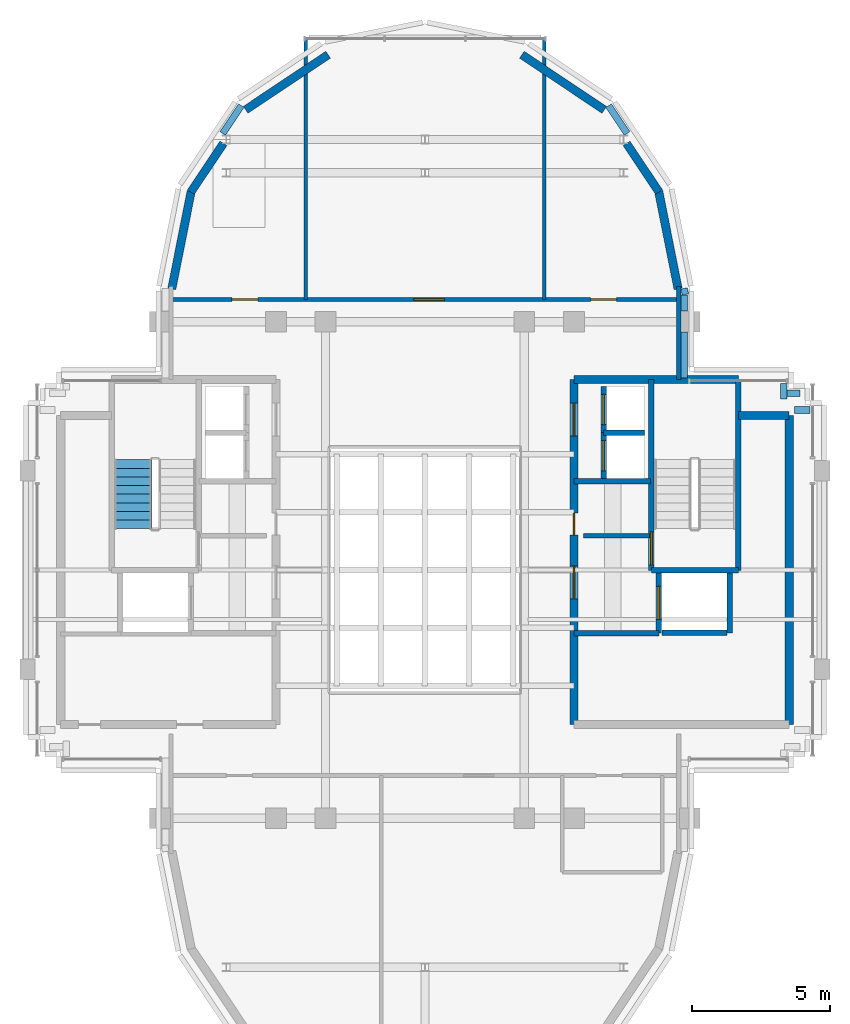
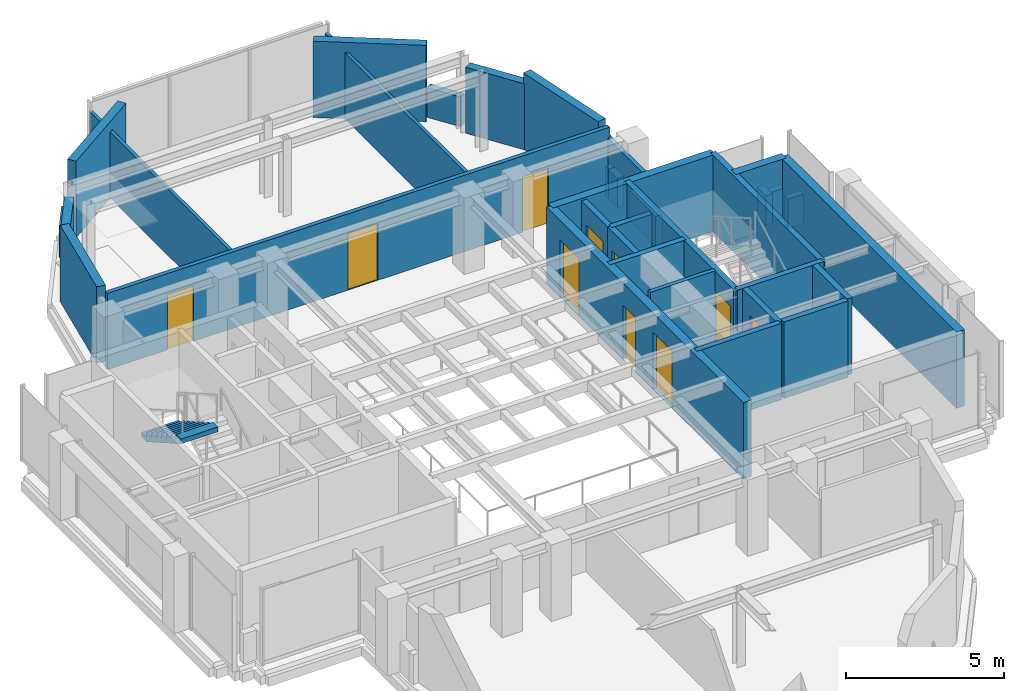
# One storey, part 8 of 11: 34 walls, 10 doors, 1 stair flight, 10 openings, 1 element without a shape of its own.
"""IFC4 building model written with IfcOpenShell, lengths in metres."""

from ifc_helpers import new_model, si_unit, direction, frame, frame_2d, origin, place, context, subcontext, project, spatial, polyline, rectangle, outline, extrude, source, transform, mapped, material, layer, layer_set, type_object, element, fill, aggregate, save


model = new_model("IFC4")

# Units and contexts
model_context = context("Model", 3, precision=1e-05, world=origin(), true_north=direction((0.0, 1.0)))
body_context = subcontext(model_context, "Body", "Model", "MODEL_VIEW")
ifc_project = project(units=[si_unit("LENGTHUNIT", "METRE"), si_unit("AREAUNIT", "SQUARE_METRE"), si_unit("VOLUMEUNIT", "CUBIC_METRE"), si_unit("PLANEANGLEUNIT", "RADIAN"), si_unit("MASSUNIT", "GRAM", prefix="KILO")], contexts=[model_context])

# Site, building, storey
site_placement = place(None, origin())
site = spatial("IfcSite", under=ifc_project, at=site_placement, CompositionType="ELEMENT")
building_placement = place(site_placement, origin())
building = spatial("IfcBuilding", under=site, at=building_placement, Name="Keilestroom Media Tower", CompositionType="ELEMENT")
storey_placement = place(building_placement, frame((0.0, 0.0, 268.39990234375)))
storey = spatial("IfcBuildingStorey", under=building, at=storey_placement, Name="L75", CompositionType="ELEMENT", Elevation=268.39990234375)

# Walls
ifc_material_1 = material(Name="Precast concrete C40/50", Category="concrete")
ifc_layer_1 = layer(ifc_material_1, 0.300048828125)
ifc_layer_set_1 = layer_set([ifc_layer_1], Name="Precast concrete C40/50")
wall_type_1 = type_object("IfcWallType", Name="Exterior-Masonry-Spandrel-Wall-300", PredefinedType="SOLIDWALL", material=ifc_layer_set_1)
wall_1_placement = place(storey_placement, frame((9.1748046875, 10.185302734375, 0.0), z_axis=(0.0, 0.0, 1.0), x_axis=(-0.195114232679, 0.980780523974, 0.0)))
element("IfcWall", 1, at=wall_1_placement, inside=storey, type_object=wall_type_1, Name="L75 Lobe Facet Precast Frame Wall 01", PredefinedType="SOLIDWALL", context=body_context, shape_type="SweptSolid", body=[
    extrude(rectangle(XDim=3.608642578125, YDim=0.300048828125, at=frame_2d((1.80419921875, 0.0))), origin(), (0.0, 0.0, 1.0), 2.960205078125),
])
wall_2_placement = place(storey_placement, frame((8.48193359375, 13.697509765625, 0.0), z_axis=(0.0, 0.0, 1.0), x_axis=(-0.555604299396, 0.831446848868, 0.0)))
element("IfcWall", 2, at=wall_2_placement, inside=storey, type_object=wall_type_1, Name="L75 Lobe Facet Precast Frame Wall 02", PredefinedType="SOLIDWALL", context=body_context, shape_type="SweptSolid", body=[
    extrude(rectangle(XDim=2.117919921875, YDim=0.300048828125, at=frame_2d((1.05908203125, 0.0))), origin(), (0.0, 0.0, 1.0), 2.56005859375),
])
for number, where, z_axis, x_axis, name in (
    (3, (6.497802734375, 16.677001953125, 0.0), (0.0, 0.0, 1.0), (-0.831443568068, 0.555609208993, 0.0), "L75 Lobe Facet Precast Frame Wall 03"),
    (4, (-3.510009765625, 18.673583984375, 0.0), (0.0, 0.0, 1.0), (-0.831443568068, -0.555609208993, 0.0), "L75 Lobe Facet Precast Frame Wall 04"),
):
    element("IfcWall", number, at=place(storey_placement, frame(where, z_axis=z_axis, x_axis=x_axis)), inside=storey, type_object=wall_type_1, Name=name, PredefinedType="SOLIDWALL", context=body_context, shape_type="SweptSolid", body=[
        extrude(rectangle(XDim=3.593505859375, YDim=0.300048828125, at=frame_2d((1.796875, 0.0))), origin(), (0.0, 0.0, 1.0), 2.960205078125),
    ])
wall_3_placement = place(storey_placement, frame((-7.30517578125, 15.45849609375, 0.0), z_axis=(0.0, 0.0, 1.0), x_axis=(-0.555604299396, -0.831446848868, 0.0)))
element("IfcWall", 5, at=wall_3_placement, inside=storey, type_object=wall_type_1, Name="L75 Lobe Facet Precast Frame Wall 05", PredefinedType="SOLIDWALL", context=body_context, shape_type="SweptSolid", body=[
    extrude(rectangle(XDim=2.117919921875, YDim=0.300048828125, at=frame_2d((1.05908203125, 0.0))), origin(), (0.0, 0.0, 1.0), 2.56005859375),
])
wall_4_placement = place(storey_placement, frame((-8.470703125, 13.724609375, 0.0), z_axis=(0.0, 0.0, 1.0), x_axis=(-0.195114232679, -0.980780523974, 0.0)))
element("IfcWall", 6, at=wall_4_placement, inside=storey, type_object=wall_type_1, Name="L75 Lobe Facet Precast Frame Wall 06", PredefinedType="SOLIDWALL", context=body_context, shape_type="SweptSolid", body=[
    extrude(rectangle(XDim=3.608642578125, YDim=0.300048828125, at=frame_2d((1.80419921875, 0.0))), origin(), (0.0, 0.0, 1.0), 2.960205078125),
])
ifc_material_2 = material(Name="Gypsum Plasterboard & Steel Stud", Category="steel")
ifc_layer_2 = layer(ifc_material_2, 0.1201171875)
ifc_layer_set_2 = layer_set([ifc_layer_2], Name="Gypsum Plasterboard & Steel Stud")
wall_type_2 = type_object("IfcWallType", Name="Interior-Partition-Wall-120", PredefinedType="PARTITIONING", material=ifc_layer_set_2)
for number, where, z_axis, x_axis, name in (
    (7, (-4.320068359375, 9.800048828125, 0.0), (0.0, 0.0, 1.0), (0.0, 1.0, 0.0), "L75 Interior Wall WP-L75-NL-VW"),
    (8, (4.320068359375, 9.800048828125, 0.0), (0.0, 0.0, 1.0), (0.0, 1.0, 0.0), "L75 Interior Wall WP-L75-NL-VE"),
):
    element("IfcWall", number, at=place(storey_placement, frame(where, z_axis=z_axis, x_axis=x_axis)), inside=storey, type_object=wall_type_2, Name=name, PredefinedType="PARTITIONING", context=body_context, shape_type="SweptSolid", body=[
        extrude(rectangle(XDim=9.449951171875, YDim=0.1201171875, at=frame_2d((4.72509765625, 0.0))), origin(), (0.0, 0.0, 1.0), 2.56005859375),
    ])
ifc_layer_3 = layer(ifc_material_2, 0.14990234375)
ifc_layer_set_3 = layer_set([ifc_layer_3], Name="Gypsum Plasterboard & Steel Stud")
wall_type_3 = type_object("IfcWallType", Name="Interior-Partition-Wall-150", PredefinedType="PARTITIONING", material=ifc_layer_set_3)
wall_5_placement = place(storey_placement, frame((5.75, 1.239990234375, 0.0), z_axis=(0.0, 0.0, 1.0), x_axis=(1.0, 0.0, 0.0)))
element("IfcWall", 9, at=wall_5_placement, inside=storey, type_object=wall_type_3, Name="L75 Interior Wall WP-L75-FFE-TOP", PredefinedType="PARTITIONING", context=body_context, shape_type="SweptSolid", body=[
    extrude(rectangle(XDim=2.389892578125, YDim=0.14990234375, at=frame_2d((1.19482421875, 0.0))), origin(), (0.0, 0.0, 1.0), 2.960205078125),
])

# Wall, openings, doors
wall_6_placement = place(storey_placement, frame((-9.199951171875, 9.800048828125, 0.0), z_axis=(0.0, 0.0, 1.0), x_axis=(1.0, 0.0, 0.0)))
wall_6 = element("IfcWall", 10, at=wall_6_placement, inside=storey, type_object=wall_type_3, Name="L75 Interior Wall WP-L75-NL-BASE", PredefinedType="PARTITIONING", context=body_context, shape_type="SweptSolid", body=[
    extrude(rectangle(XDim=18.39990234375, YDim=0.14990234375, at=frame_2d((9.199951171875, 0.0))), origin(), (0.0, 0.0, 1.0), 2.960205078125),
])
opening_1_placement = place(wall_6_placement, frame((2.199951171875, 0.0, 0.0)))
opening_1 = element("IfcOpeningElement", 11, at=opening_1_placement, cuts=wall_6, Name="Opening DI-03", PredefinedType="OPENING", context=body_context, shape_type="SweptSolid", body=[
    extrude(rectangle(XDim=0.949951171875, YDim=2.14990234375, at=frame_2d((0.47509765625, 1.074951171875))), frame((0.0, 0.0849609375, 0.0), z_axis=(0.0, -1.0, 0.0), x_axis=(1.0, 0.0, 0.0)), (0.0, 0.0, 1.0), 0.169921875),
])
opening_2_placement = place(wall_6_placement, frame((8.800048828125, 0.0, 0.0)))
opening_2 = element("IfcOpeningElement", 12, at=opening_2_placement, cuts=wall_6, Name="Opening DI-04", PredefinedType="OPENING", context=body_context, shape_type="SweptSolid", body=[
    extrude(rectangle(XDim=1.10009765625, YDim=2.199951171875, at=frame_2d((0.550048828125, 1.10009765625))), frame((0.0, 0.0849609375, 0.0), z_axis=(0.0, -1.0, 0.0), x_axis=(1.0, 0.0, 0.0)), (0.0, 0.0, 1.0), 0.169921875),
])
opening_3_placement = place(wall_6_placement, frame((15.199951171875, 0.0, 0.0)))
opening_3 = element("IfcOpeningElement", 13, at=opening_3_placement, cuts=wall_6, Name="Opening DI-03", PredefinedType="OPENING", context=body_context, shape_type="SweptSolid", body=[
    extrude(rectangle(XDim=0.949951171875, YDim=2.14990234375, at=frame_2d((0.47509765625, 1.074951171875))), frame((0.0, 0.0849609375, 0.0), z_axis=(0.0, -1.0, 0.0), x_axis=(1.0, 0.0, 0.0)), (0.0, 0.0, 1.0), 0.169921875),
])
ifc_material_3 = material(Name="Lacquered European Oak Leaf", Category="wood")
door_type_1 = type_object("IfcDoorType", Name="Interior-Room-And-Suite-Door-DI-03", OperationType="NOTDEFINED", PredefinedType="DOOR", material=ifc_material_3)
shared_shape_1 = source(origin(), body_context, "Body", "SweptSolid", [
    extrude(rectangle(XDim=0.949951171875, YDim=2.14990234375, at=frame_2d((0.47509765625, 1.074951171875))), frame((0.0, 0.02490234375, 0.0), z_axis=(0.0, -1.0, 0.0), x_axis=(1.0, 0.0, 0.0)), (0.0, 0.0, 1.0), 0.050048828125),
])
door_1_placement = place(opening_1_placement, origin())
door_1 = element("IfcDoor", 14, at=door_1_placement, inside=storey, type_object=door_type_1, Name="L75 Interior Door DI-L75-DNL-W", OperationType="SINGLE_SWING_LEFT", OverallHeight=2.14990234375, OverallWidth=0.949951171875, PredefinedType="DOOR", context=body_context, shape_type="MappedRepresentation", body=[
    mapped(shared_shape_1, transform((0.0, 0.0, 0.0), x_axis=(1.0, 0.0, 0.0), y_axis=(0.0, 1.0, 0.0), z_axis=(0.0, 0.0, 1.0), scale=1.0)),
])
fill(opening_1, door_1)
door_2_placement = place(opening_3_placement, origin())
door_2 = element("IfcDoor", 15, at=door_2_placement, inside=storey, type_object=door_type_1, Name="L75 Interior Door DI-L75-DNL-E", OperationType="SINGLE_SWING_LEFT", OverallHeight=2.14990234375, OverallWidth=0.949951171875, PredefinedType="DOOR", context=body_context, shape_type="MappedRepresentation", body=[
    mapped(shared_shape_1, transform((0.0, 0.0, 0.0), x_axis=(1.0, 0.0, 0.0), y_axis=(0.0, 1.0, 0.0), z_axis=(0.0, 0.0, 1.0), scale=1.0)),
])
fill(opening_3, door_2)
ifc_material_4 = material(Name="Acoustic Glazed Aluminium Leaf", Category="aluminium")
door_type_2 = type_object("IfcDoorType", Name="Interior-Room-And-Suite-Door-DI-04", OperationType="NOTDEFINED", PredefinedType="DOOR", material=ifc_material_4)
shared_shape_2 = source(origin(), body_context, "Body", "SweptSolid", [
    extrude(rectangle(XDim=1.10009765625, YDim=2.199951171875, at=frame_2d((0.550048828125, 1.10009765625))), frame((0.0, 0.02490234375, 0.0), z_axis=(0.0, -1.0, 0.0), x_axis=(1.0, 0.0, 0.0)), (0.0, 0.0, 1.0), 0.050048828125),
])
door_3_placement = place(opening_2_placement, origin())
door_3 = element("IfcDoor", 16, at=door_3_placement, inside=storey, type_object=door_type_2, Name="L75 Interior Door DI-L75-DNL-C", OperationType="SINGLE_SWING_RIGHT", OverallHeight=2.199951171875, OverallWidth=1.10009765625, PredefinedType="DOOR", context=body_context, shape_type="MappedRepresentation", body=[
    mapped(shared_shape_2, transform((0.0, 0.0, 0.0), x_axis=(1.0, 0.0, 0.0), y_axis=(0.0, 1.0, 0.0), z_axis=(0.0, 0.0, 1.0), scale=1.0)),
])
fill(opening_2, door_3)

# Walls
wall_7_placement = place(storey_placement, frame((9.199951171875, 6.89990234375, 0.0), z_axis=(0.0, 0.0, 1.0), x_axis=(0.0, 1.0, 0.0)))
element("IfcWall", 17, at=wall_7_placement, inside=storey, type_object=wall_type_3, Name="L75 Interior Wall WP-L75-NL-CHKE", PredefinedType="PARTITIONING", context=body_context, shape_type="SweptSolid", body=[
    extrude(rectangle(XDim=3.380126953125, YDim=0.14990234375, at=frame_2d((1.68994140625, 0.0))), origin(), (0.0, 0.0, 1.0), 2.56005859375),
])
ifc_material_5 = material(Name="Concrete C50/60", Category="concrete")
ifc_layer_4 = layer(ifc_material_5, 0.300048828125)
ifc_layer_set_4 = layer_set([ifc_layer_4], Name="Concrete C50/60")
wall_type_4 = type_object("IfcWallType", Name="Reinforced-Concrete-Core-Shear-Wall-300", PredefinedType="SHEAR", material=ifc_layer_set_4)
wall_8_placement = place(storey_placement, frame((13.199951171875, -5.60009765625, 0.0), z_axis=(0.0, 0.0, 1.0), x_axis=(0.0, 1.0, 0.0)))
element("IfcWall", 18, at=wall_8_placement, inside=storey, type_object=wall_type_4, Name="L75 Core Shear Wall WL-L75-CORE-E-OUT", PredefinedType="SHEAR", context=body_context, shape_type="SweptSolid", body=[
    extrude(rectangle(XDim=11.2001953125, YDim=0.300048828125, at=frame_2d((5.60009765625, 0.0))), origin(), (0.0, 0.0, 1.0), 2.960205078125),
])

# Wall, openings, doors
wall_9_placement = place(storey_placement, frame((5.39990234375, -5.60009765625, 0.0), z_axis=(0.0, 0.0, 1.0), x_axis=(0.0, 1.0, 0.0)))
wall_9 = element("IfcWall", 19, at=wall_9_placement, inside=storey, type_object=wall_type_4, Name="L75 Core Shear Wall WL-L75-CORE-E-IN", PredefinedType="SHEAR", context=body_context, shape_type="SweptSolid", body=[
    extrude(rectangle(XDim=12.5, YDim=0.300048828125, at=frame_2d((6.25, 0.0))), origin(), (0.0, 0.0, 1.0), 2.960205078125),
])
opening_4_placement = place(wall_9_placement, frame((4.550048828125, 0.0, 0.0)))
opening_4 = element("IfcOpeningElement", 20, at=opening_4_placement, cuts=wall_9, Name="Opening DI-02", PredefinedType="OPENING", context=body_context, shape_type="SweptSolid", body=[
    extrude(rectangle(XDim=1.199951171875, YDim=2.199951171875, at=frame_2d((0.60009765625, 1.10009765625))), frame((0.0, 0.16015625, 0.0), z_axis=(0.0, -1.0, 0.0), x_axis=(1.0, 0.0, 0.0)), (0.0, 0.0, 1.0), 0.320068359375),
])
opening_5_placement = place(wall_9_placement, frame((10.449951171875, 0.0, 0.0)))
opening_5 = element("IfcOpeningElement", 21, at=opening_5_placement, cuts=wall_9, Name="Opening DI-02", PredefinedType="OPENING", context=body_context, shape_type="SweptSolid", body=[
    extrude(rectangle(XDim=1.199951171875, YDim=2.199951171875, at=frame_2d((0.60009765625, 1.10009765625))), frame((0.0, 0.16015625, 0.0), z_axis=(0.0, -1.0, 0.0), x_axis=(1.0, 0.0, 0.0)), (0.0, 0.0, 1.0), 0.320068359375),
])
opening_6_placement = place(wall_9_placement, frame((6.860107421875, 0.0, 0.0)))
opening_6 = element("IfcOpeningElement", 22, at=opening_6_placement, cuts=wall_9, Name="Opening DI-06", PredefinedType="OPENING", context=body_context, shape_type="SweptSolid", body=[
    extrude(rectangle(XDim=0.800048828125, YDim=2.10009765625, at=frame_2d((0.39990234375, 1.050048828125))), frame((0.0, 0.16015625, 0.0), z_axis=(0.0, -1.0, 0.0), x_axis=(1.0, 0.0, 0.0)), (0.0, 0.0, 1.0), 0.320068359375),
])
ifc_material_6 = material(Name="Powder-Coated Steel Fire Leaf", Category="steel")
door_type_3 = type_object("IfcDoorType", Name="Interior-Compartment-Fire-Door-DI-02", OperationType="NOTDEFINED", PredefinedType="DOOR", material=ifc_material_6)
shared_shape_3 = source(origin(), body_context, "Body", "SweptSolid", [
    extrude(rectangle(XDim=1.199951171875, YDim=2.199951171875, at=frame_2d((0.60009765625, 1.10009765625))), frame((0.0, 0.02490234375, 0.0), z_axis=(0.0, -1.0, 0.0), x_axis=(1.0, 0.0, 0.0)), (0.0, 0.0, 1.0), 0.050048828125),
])
door_4_placement = place(opening_4_placement, origin())
door_4 = element("IfcDoor", 23, at=door_4_placement, inside=storey, type_object=door_type_3, Name="L75 E Firefighting Lobby Door", OperationType="SINGLE_SWING_LEFT", OverallHeight=2.199951171875, OverallWidth=1.199951171875, PredefinedType="DOOR", context=body_context, shape_type="MappedRepresentation", body=[
    mapped(shared_shape_3, transform((0.0, 0.0, 0.0), x_axis=(1.0, 0.0, 0.0), y_axis=(0.0, 1.0, 0.0), z_axis=(0.0, 0.0, 1.0), scale=1.0)),
])
fill(opening_4, door_4)
door_5_placement = place(opening_5_placement, origin())
door_5 = element("IfcDoor", 24, at=door_5_placement, inside=storey, type_object=door_type_3, Name="L75 E High-Rise Lift Lobby Door", OperationType="SINGLE_SWING_RIGHT", OverallHeight=2.199951171875, OverallWidth=1.199951171875, PredefinedType="DOOR", context=body_context, shape_type="MappedRepresentation", body=[
    mapped(shared_shape_3, transform((0.0, 0.0, 0.0), x_axis=(1.0, 0.0, 0.0), y_axis=(0.0, 1.0, 0.0), z_axis=(0.0, 0.0, 1.0), scale=1.0)),
])
fill(opening_5, door_5)
ifc_material_7 = material(Name="Powder-Coated Steel Service Leaf", Category="steel")
door_type_4 = type_object("IfcDoorType", Name="Interior-Riser-Access-Door-DI-06", OperationType="NOTDEFINED", PredefinedType="DOOR", material=ifc_material_7)
shared_shape_4 = source(origin(), body_context, "Body", "SweptSolid", [
    extrude(rectangle(XDim=0.800048828125, YDim=2.10009765625, at=frame_2d((0.39990234375, 1.050048828125))), frame((0.0, 0.02490234375, 0.0), z_axis=(0.0, -1.0, 0.0), x_axis=(1.0, 0.0, 0.0)), (0.0, 0.0, 1.0), 0.050048828125),
])
door_6_placement = place(opening_6_placement, origin())
door_6 = element("IfcDoor", 25, at=door_6_placement, inside=storey, type_object=door_type_4, Name="L75 East Core Telecom Door", OperationType="SINGLE_SWING_RIGHT", OverallHeight=2.10009765625, OverallWidth=0.800048828125, PredefinedType="DOOR", context=body_context, shape_type="MappedRepresentation", body=[
    mapped(shared_shape_4, transform((0.0, 0.0, 0.0), x_axis=(1.0, 0.0, 0.0), y_axis=(0.0, 1.0, 0.0), z_axis=(0.0, 0.0, 1.0), scale=1.0)),
])
fill(opening_6, door_6)

# Walls
wall_10_placement = place(storey_placement, frame((5.39990234375, 6.89990234375, 0.0), z_axis=(0.0, 0.0, 1.0), x_axis=(1.0, 0.0, 0.0)))
element("IfcWall", 26, at=wall_10_placement, inside=storey, type_object=wall_type_4, Name="L75 Core Shear Wall WL-L75-CORE-E-N", PredefinedType="SHEAR", context=body_context, shape_type="SweptSolid", body=[
    extrude(rectangle(XDim=5.9560546875, YDim=0.300048828125, at=frame_2d((2.97802734375, 0.0))), origin(), (0.0, 0.0, 1.0), 2.960205078125),
])
wall_11_placement = place(storey_placement, frame((11.35595703125, 5.60009765625, 0.0), z_axis=(0.0, 0.0, 1.0), x_axis=(1.0, 0.0, 0.0)))
element("IfcWall", 27, at=wall_11_placement, inside=storey, type_object=wall_type_4, Name="L75 Core Shear Wall WL-L75-CNE-N", PredefinedType="SHEAR", context=body_context, shape_type="SweptSolid", body=[
    extrude(rectangle(XDim=1.843994140625, YDim=0.300048828125, at=frame_2d((0.921875, 0.0))), origin(), (0.0, 0.0, 1.0), 2.960205078125),
])
ifc_layer_5 = layer(ifc_material_5, 0.199951171875)
ifc_layer_set_5 = layer_set([ifc_layer_5], Name="Concrete C50/60")
wall_type_5 = type_object("IfcWallType", Name="Reinforced-Concrete-Shaft-Wall-200", PredefinedType="SOLIDWALL", material=ifc_layer_set_5)
wall_12_placement = place(storey_placement, frame((5.39990234375, 3.219970703125, 0.0), z_axis=(0.0, 0.0, 1.0), x_axis=(1.0, 0.0, 0.0)))
element("IfcWall", 28, at=wall_12_placement, inside=storey, type_object=wall_type_5, Name="L75 Core Shear Wall WL-L75-CORE-E-FFN", PredefinedType="SOLIDWALL", context=body_context, shape_type="SweptSolid", body=[
    extrude(rectangle(XDim=2.780029296875, YDim=0.199951171875, at=frame_2d((1.39013671875, 0.0))), origin(), (0.0, 0.0, 1.0), 2.960205078125),
])
wall_13_placement = place(storey_placement, frame((5.39990234375, -2.300048828125, 0.0), z_axis=(0.0, 0.0, 1.0), x_axis=(1.0, 0.0, 0.0)))
element("IfcWall", 29, at=wall_13_placement, inside=storey, type_object=wall_type_5, Name="L75 Core Shear Wall WL-L75-CORE-E-FFS", PredefinedType="SOLIDWALL", context=body_context, shape_type="SweptSolid", body=[
    extrude(rectangle(XDim=3.080078125, YDim=0.199951171875, at=frame_2d((1.5400390625, 0.0))), origin(), (0.0, 0.0, 1.0), 2.960205078125),
])

# Wall, opening, door
wall_14_placement = place(storey_placement, frame((8.2041015625, -0.01611328125, 0.0), z_axis=(0.0, 0.0, 1.0), x_axis=(0.0, 1.0, 0.0)))
wall_14 = element("IfcWall", 30, at=wall_14_placement, inside=storey, type_object=wall_type_5, Name="L75 Core Shear Wall WL-L75-STW-E-NEAR", PredefinedType="SOLIDWALL", context=body_context, shape_type="SweptSolid", body=[
    extrude(rectangle(XDim=6.916015625, YDim=0.199951171875, at=frame_2d((3.4580078125, 0.0))), origin(), (0.0, 0.0, 1.0), 2.960205078125),
])
opening_7_placement = place(wall_14_placement, frame((0.199951171875, 0.0, 0.0)))
opening_7 = element("IfcOpeningElement", 31, at=opening_7_placement, cuts=wall_14, Name="Opening DI-01S", PredefinedType="OPENING", context=body_context, shape_type="SweptSolid", body=[
    extrude(rectangle(XDim=1.199951171875, YDim=2.199951171875, at=frame_2d((0.60009765625, 1.10009765625))), frame((0.0, 0.10986328125, 0.0), z_axis=(0.0, -1.0, 0.0), x_axis=(1.0, 0.0, 0.0)), (0.0, 0.0, 1.0), 0.219970703125),
])
door_type_5 = type_object("IfcDoorType", Name="Interior-Stair-And-Core-Fire-Door-DI-01", OperationType="NOTDEFINED", PredefinedType="DOOR", material=ifc_material_6)
door_7_placement = place(opening_7_placement, origin())
door_7 = element("IfcDoor", 32, at=door_7_placement, inside=storey, type_object=door_type_5, Name="L75 Escape Stair ST-2 Fire Door", OperationType="SINGLE_SWING_RIGHT", OverallHeight=2.199951171875, OverallWidth=1.199951171875, PredefinedType="DOOR", context=body_context, shape_type="MappedRepresentation", body=[
    mapped(shared_shape_3, transform((0.0, 0.0, 0.0), x_axis=(1.0, 0.0, 0.0), y_axis=(0.0, 1.0, 0.0), z_axis=(0.0, 0.0, 1.0), scale=1.0)),
])
fill(opening_7, door_7)

# Walls
wall_15_placement = place(storey_placement, frame((11.35595703125, -0.01611328125, 0.0), z_axis=(0.0, 0.0, 1.0), x_axis=(0.0, 1.0, 0.0)))
element("IfcWall", 33, at=wall_15_placement, inside=storey, type_object=wall_type_5, Name="L75 Core Shear Wall WL-L75-STW-E-FAR", PredefinedType="SOLIDWALL", context=body_context, shape_type="SweptSolid", body=[
    extrude(rectangle(XDim=6.916015625, YDim=0.199951171875, at=frame_2d((3.4580078125, 0.0))), origin(), (0.0, 0.0, 1.0), 2.960205078125),
])
wall_16_placement = place(storey_placement, frame((8.2041015625, -0.01611328125, 0.0), z_axis=(0.0, 0.0, 1.0), x_axis=(1.0, 0.0, 0.0)))
element("IfcWall", 34, at=wall_16_placement, inside=storey, type_object=wall_type_5, Name="L75 Core Shear Wall WL-L75-STW-E-S", PredefinedType="SOLIDWALL", context=body_context, shape_type="SweptSolid", body=[
    extrude(rectangle(XDim=3.15185546875, YDim=0.199951171875, at=frame_2d((1.575927734375, 0.0))), origin(), (0.0, 0.0, 1.0), 2.960205078125),
])

# Wall, opening, door
wall_17_placement = place(storey_placement, frame((8.47998046875, -2.280029296875, 0.0), z_axis=(0.0, 0.0, 1.0), x_axis=(0.0, 1.0, 0.0)))
wall_17 = element("IfcWall", 35, at=wall_17_placement, inside=storey, type_object=wall_type_5, Name="L75 Core Shear Wall WL-L75-LSH-FFL-2-W", PredefinedType="SOLIDWALL", context=body_context, shape_type="SweptSolid", body=[
    extrude(rectangle(XDim=2.179931640625, YDim=0.199951171875, at=frame_2d((1.08984375, 0.0))), origin(), (0.0, 0.0, 1.0), 2.960205078125),
])
opening_8_placement = place(wall_17_placement, frame((0.489990234375, 0.0, 0.0)))
opening_8 = element("IfcOpeningElement", 36, at=opening_8_placement, cuts=wall_17, Name="Opening LD-02", PredefinedType="OPENING", context=body_context, shape_type="SweptSolid", body=[
    extrude(rectangle(XDim=1.199951171875, YDim=2.199951171875, at=frame_2d((0.60009765625, 1.10009765625))), frame((0.0, 0.10986328125, 0.0), z_axis=(0.0, -1.0, 0.0), x_axis=(1.0, 0.0, 0.0)), (0.0, 0.0, 1.0), 0.219970703125),
])
ifc_material_8 = material(Name="Brushed Stainless Steel Sliding Leaf", Category="steel")
door_type_6 = type_object("IfcDoorType", Name="Lift-Landing-Sliding-Door-LD-02", OperationType="SLIDING_TO_RIGHT", PredefinedType="DOOR", material=ifc_material_8)
door_8_placement = place(opening_8_placement, origin())
door_8 = element("IfcDoor", 37, at=door_8_placement, inside=storey, type_object=door_type_6, Name="L75 Lift FFL-2 Landing Sliding Door", OperationType="SLIDING_TO_RIGHT", OverallHeight=2.199951171875, OverallWidth=1.199951171875, PredefinedType="DOOR", context=body_context, shape_type="MappedRepresentation", body=[
    mapped(shared_shape_3, transform((0.0, 0.0, 0.0), x_axis=(1.0, 0.0, 0.0), y_axis=(0.0, 1.0, 0.0), z_axis=(0.0, 0.0, 1.0), scale=1.0)),
])
fill(opening_8, door_8)

# Walls
wall_18_placement = place(storey_placement, frame((11.050048828125, -2.280029296875, 0.0), z_axis=(0.0, 0.0, 1.0), x_axis=(0.0, 1.0, 0.0)))
element("IfcWall", 38, at=wall_18_placement, inside=storey, type_object=wall_type_5, Name="L75 Core Shear Wall WL-L75-LSH-FFL-2-E", PredefinedType="SOLIDWALL", context=body_context, shape_type="SweptSolid", body=[
    extrude(rectangle(XDim=2.179931640625, YDim=0.199951171875, at=frame_2d((1.08984375, 0.0))), origin(), (0.0, 0.0, 1.0), 2.960205078125),
])
wall_19_placement = place(storey_placement, frame((8.583984375, -2.280029296875, 0.0), z_axis=(0.0, 0.0, 1.0), x_axis=(1.0, 0.0, 0.0)))
element("IfcWall", 39, at=wall_19_placement, inside=storey, type_object=wall_type_5, Name="L75 Core Shear Wall WL-L75-LSH-FFL-2-S", PredefinedType="SOLIDWALL", context=body_context, shape_type="SweptSolid", body=[
    extrude(rectangle(XDim=2.362060546875, YDim=0.199951171875, at=frame_2d((1.18115234375, 0.0))), origin(), (0.0, 0.0, 1.0), 2.960205078125),
])

# Wall, opening, door
wall_20_placement = place(storey_placement, frame((6.47998046875, 3.300048828125, 0.0), z_axis=(0.0, 0.0, 1.0), x_axis=(0.0, 1.0, 0.0)))
wall_20 = element("IfcWall", 40, at=wall_20_placement, inside=storey, type_object=wall_type_5, Name="L75 Core Shear Wall WL-L75-LSH-PL-H3-W", PredefinedType="SOLIDWALL", context=body_context, shape_type="SweptSolid", body=[
    extrude(rectangle(XDim=1.679931640625, YDim=0.199951171875, at=frame_2d((0.83984375, 0.0))), origin(), (0.0, 0.0, 1.0), 2.960205078125),
])
opening_9_placement = place(wall_20_placement, frame((0.2900390625, 0.0, 0.0)))
opening_9 = element("IfcOpeningElement", 41, at=opening_9_placement, cuts=wall_20, Name="Opening LD-01", PredefinedType="OPENING", context=body_context, shape_type="SweptSolid", body=[
    extrude(rectangle(XDim=1.10009765625, YDim=2.199951171875, at=frame_2d((0.550048828125, 1.10009765625))), frame((0.0, 0.10986328125, 0.0), z_axis=(0.0, -1.0, 0.0), x_axis=(1.0, 0.0, 0.0)), (0.0, 0.0, 1.0), 0.219970703125),
])
door_type_7 = type_object("IfcDoorType", Name="Lift-Landing-Sliding-Door-LD-01", OperationType="SLIDING_TO_LEFT", PredefinedType="DOOR", material=ifc_material_8)
door_9_placement = place(opening_9_placement, origin())
door_9 = element("IfcDoor", 42, at=door_9_placement, inside=storey, type_object=door_type_7, Name="L75 Lift PL-H3 Landing Sliding Door", OperationType="SLIDING_TO_LEFT", OverallHeight=2.199951171875, OverallWidth=1.10009765625, PredefinedType="DOOR", context=body_context, shape_type="MappedRepresentation", body=[
    mapped(shared_shape_2, transform((0.0, 0.0, 0.0), x_axis=(1.0, 0.0, 0.0), y_axis=(0.0, 1.0, 0.0), z_axis=(0.0, 0.0, 1.0), scale=1.0)),
])
fill(opening_9, door_9)

# Wall
wall_21_placement = place(storey_placement, frame((6.47998046875, 4.97998046875, 0.0), z_axis=(0.0, 0.0, 1.0), x_axis=(1.0, 0.0, 0.0)))
element("IfcWall", 43, at=wall_21_placement, inside=storey, type_object=wall_type_5, Name="L75 Core Shear Wall WL-L75-LSH-PL-H3-N", PredefinedType="SOLIDWALL", context=body_context, shape_type="SweptSolid", body=[
    extrude(rectangle(XDim=1.469970703125, YDim=0.199951171875, at=frame_2d((0.73486328125, 0.0))), origin(), (0.0, 0.0, 1.0), 2.960205078125),
])

# Wall, opening, door
wall_22_placement = place(storey_placement, frame((6.47998046875, 4.97998046875, 0.0), z_axis=(0.0, 0.0, 1.0), x_axis=(0.0, 1.0, 0.0)))
wall_22 = element("IfcWall", 44, at=wall_22_placement, inside=storey, type_object=wall_type_5, Name="L75 Core Shear Wall WL-L75-LSH-PL-H4-W", PredefinedType="SOLIDWALL", context=body_context, shape_type="SweptSolid", body=[
    extrude(rectangle(XDim=1.669921875, YDim=0.199951171875, at=frame_2d((0.8349609375, 0.0))), origin(), (0.0, 0.0, 1.0), 2.960205078125),
])
opening_10_placement = place(wall_22_placement, frame((0.284912109375, 0.0, 0.0)))
opening_10 = element("IfcOpeningElement", 45, at=opening_10_placement, cuts=wall_22, Name="Opening LD-01", PredefinedType="OPENING", context=body_context, shape_type="SweptSolid", body=[
    extrude(rectangle(XDim=1.10009765625, YDim=2.199951171875, at=frame_2d((0.550048828125, 1.10009765625))), frame((0.0, 0.10986328125, 0.0), z_axis=(0.0, -1.0, 0.0), x_axis=(1.0, 0.0, 0.0)), (0.0, 0.0, 1.0), 0.219970703125),
])
door_10_placement = place(opening_10_placement, origin())
door_10 = element("IfcDoor", 46, at=door_10_placement, inside=storey, type_object=door_type_7, Name="L75 Lift PL-H4 Landing Sliding Door", OperationType="SLIDING_TO_LEFT", OverallHeight=2.199951171875, OverallWidth=1.10009765625, PredefinedType="DOOR", context=body_context, shape_type="MappedRepresentation", body=[
    mapped(shared_shape_2, transform((0.0, 0.0, 0.0), x_axis=(1.0, 0.0, 0.0), y_axis=(0.0, 1.0, 0.0), z_axis=(0.0, 0.0, 1.0), scale=1.0)),
])
fill(opening_10, door_10)

# Walls
ifc_layer_6 = layer(ifc_material_1, 0.239990234375)
ifc_layer_set_6 = layer_set([ifc_layer_6], Name="Precast concrete C40/50")
wall_type_6 = type_object("IfcWallType", Name="Roof-And-Terrace-Parapet-Wall-240", PredefinedType="PARAPET", material=ifc_layer_set_6)
for number, where, z_axis, x_axis, name in (
    (47, (-7.328125, 15.8203125, 0.0), (0.0, 0.0, 1.0), (0.555585388542, 0.831459485506, 0.0), "L75 Perimeter Edge Parapet Wall 18"),
    (48, (6.656494140625, 16.825439453125, 0.0), (0.0, 0.0, 1.0), (0.555585388542, -0.831459485506, 0.0), "L75 Perimeter Edge Parapet Wall 19"),
):
    element("IfcWall", number, at=place(storey_placement, frame(where, z_axis=z_axis, x_axis=x_axis)), inside=storey, type_object=wall_type_6, Name=name, PredefinedType="PARAPET", context=body_context, shape_type="SweptSolid", body=[
        extrude(rectangle(XDim=1.208984375, YDim=0.239990234375, at=frame_2d((0.6044921875, 0.0))), origin(), (0.0, 0.0, 1.0), 1.150146484375),
    ])
wall_23_placement = place(storey_placement, frame((9.395263671875, 10.2041015625, 0.0), z_axis=(0.0, 0.0, 1.0), x_axis=(0.194859894132, -0.980831087221, 0.0)))
element("IfcWall", 49, at=wall_23_placement, inside=storey, type_object=wall_type_6, Name="L75 Perimeter Edge Parapet Wall 20", PredefinedType="PARAPET", context=body_context, shape_type="SweptSolid", body=[
    extrude(rectangle(XDim=0.224365234375, YDim=0.239990234375, at=frame_2d((0.1123046875, 0.0))), origin(), (0.0, 0.0, 1.0), 1.150146484375),
])
wall_24_placement = place(storey_placement, frame((9.39990234375, 9.957763671875, 0.0), z_axis=(0.0, 0.0, 1.0), x_axis=(0.0, -1.0, 0.0)))
element("IfcWall", 50, at=wall_24_placement, inside=storey, type_object=wall_type_6, Name="L75 Perimeter Edge Parapet Wall 21", PredefinedType="PARAPET", context=body_context, shape_type="SweptSolid", body=[
    extrude(rectangle(XDim=0.579833984375, YDim=0.239990234375, at=frame_2d((0.2900390625, 0.0))), origin(), (0.0, 0.0, 1.0), 1.150146484375),
])
wall_25_placement = place(storey_placement, frame((9.39990234375, 8.6220703125, 0.0), z_axis=(0.0, 0.0, 1.0), x_axis=(0.0, -1.0, 0.0)))
element("IfcWall", 51, at=wall_25_placement, inside=storey, type_object=wall_type_6, Name="L75 Perimeter Edge Parapet Wall 22", PredefinedType="PARAPET", context=body_context, shape_type="SweptSolid", body=[
    extrude(rectangle(XDim=1.669189453125, YDim=0.239990234375, at=frame_2d((0.83447265625, 0.0))), origin(), (0.0, 0.0, 1.0), 1.150146484375),
])
wall_26_placement = place(storey_placement, frame((13.0, 6.757080078125, 0.0), z_axis=(0.0, 0.0, 1.0), x_axis=(0.0, -1.0, 0.0)))
element("IfcWall", 52, at=wall_26_placement, inside=storey, type_object=wall_type_6, Name="L75 Perimeter Edge Parapet Wall 23", PredefinedType="PARAPET", context=body_context, shape_type="SweptSolid", body=[
    extrude(rectangle(XDim=0.55712890625, YDim=0.239990234375, at=frame_2d((0.278564453125, 0.0))), origin(), (0.0, 0.0, 1.0), 1.150146484375),
])
wall_27_placement = place(storey_placement, frame((13.123046875, 6.39990234375, 0.0), z_axis=(0.0, 0.0, 1.0), x_axis=(1.0, 0.0, 0.0)))
element("IfcWall", 53, at=wall_27_placement, inside=storey, type_object=wall_type_6, Name="L75 Perimeter Edge Parapet Wall 24", PredefinedType="PARAPET", context=body_context, shape_type="SweptSolid", body=[
    extrude(rectangle(XDim=0.47705078125, YDim=0.239990234375, at=frame_2d((0.238525390625, 0.0))), origin(), (0.0, 0.0, 1.0), 1.150146484375),
])
wall_28_placement = place(storey_placement, frame((13.39990234375, 5.800048828125, 0.0), z_axis=(0.0, 0.0, 1.0), x_axis=(1.0, 0.0, 0.0)))
element("IfcWall", 54, at=wall_28_placement, inside=storey, type_object=wall_type_6, Name="L75 Perimeter Edge Parapet Wall 25", PredefinedType="PARAPET", context=body_context, shape_type="SweptSolid", body=[
    extrude(rectangle(XDim=0.55712890625, YDim=0.239990234375, at=frame_2d((0.278564453125, 0.0))), origin(), (0.0, 0.0, 1.0), 1.150146484375),
])

# Stair, stair flight
ifc_material_9 = material(Name="Concrete C45/55", Category="concrete")
stair_type = type_object("IfcStairType", Name="Enclosed-Dog-Leg-Stair-ST-CORE", PredefinedType="HALF_TURN_STAIR", material=ifc_material_9)
stair_placement = place(storey_placement, origin())
stair = element("IfcStair", 55, at=stair_placement, inside=storey, type_object=stair_type, Name="L75 West Core Escape Stair ST-1", PredefinedType="HALF_TURN_STAIR")
stair_flight_type = type_object("IfcStairFlightType", Name="Precast-Concrete-Stair-Flight-Core-160", PredefinedType="STRAIGHT", material=ifc_material_1)
stair_flight_placement = place(storey_placement, frame((-10.580078125, 3.99609375, 1.60009765625), z_axis=(0.0, 0.0, 1.0), x_axis=(0.0, -1.0, 0.0)))
stair_flight = element("IfcStairFlight", 56, at=stair_flight_placement, type_object=stair_flight_type, Name="ST-1 flight 2", NumberOfRisers=9, NumberOfTreads=8, PredefinedType="STRAIGHT", RiserHeight=0.177777778, TreadLength=0.312, context=body_context, shape_type="SweptSolid", body=[
    extrude(outline(polyline([(0.0, 0.0), (0.0, 0.177734375), (0.31201171875, 0.177734375), (0.31201171875, 0.35546875), (0.6240234375, 0.35546875), (0.6240234375, 0.533447265625), (0.93603515625, 0.533447265625), (0.93603515625, 0.711181640625), (1.248046875, 0.711181640625), (1.248046875, 0.888916015625), (1.56005859375, 0.888916015625), (1.56005859375, 1.066650390625), (1.8720703125, 1.066650390625), (1.8720703125, 1.244384765625), (2.18408203125, 1.244384765625), (2.18408203125, 1.422119140625), (2.49609375, 1.422119140625), (2.49609375, 1.60009765625), (2.49609375, 1.23828125), (0.322998046875, 0.0), (0.0, 0.0)])), frame((0.0, 0.68017578125, 0.0), z_axis=(0.0, -1.0, 0.0), x_axis=(1.0, 0.0, 0.0)), (0.0, 0.0, 1.0), 1.360107421875),
])
aggregate(stair, [stair_flight])

save(model, "model.ifc")
